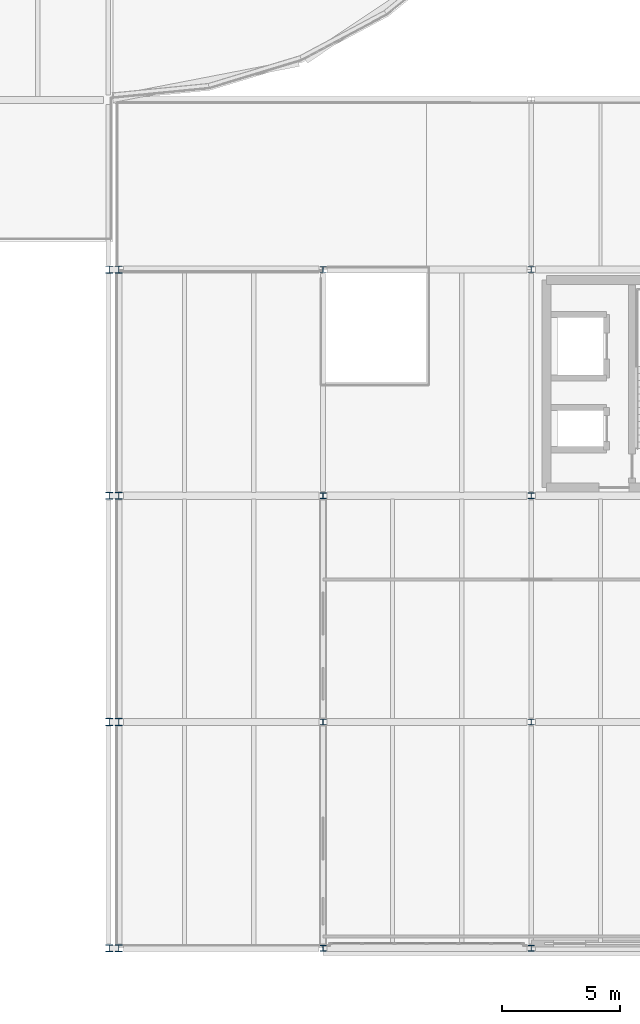
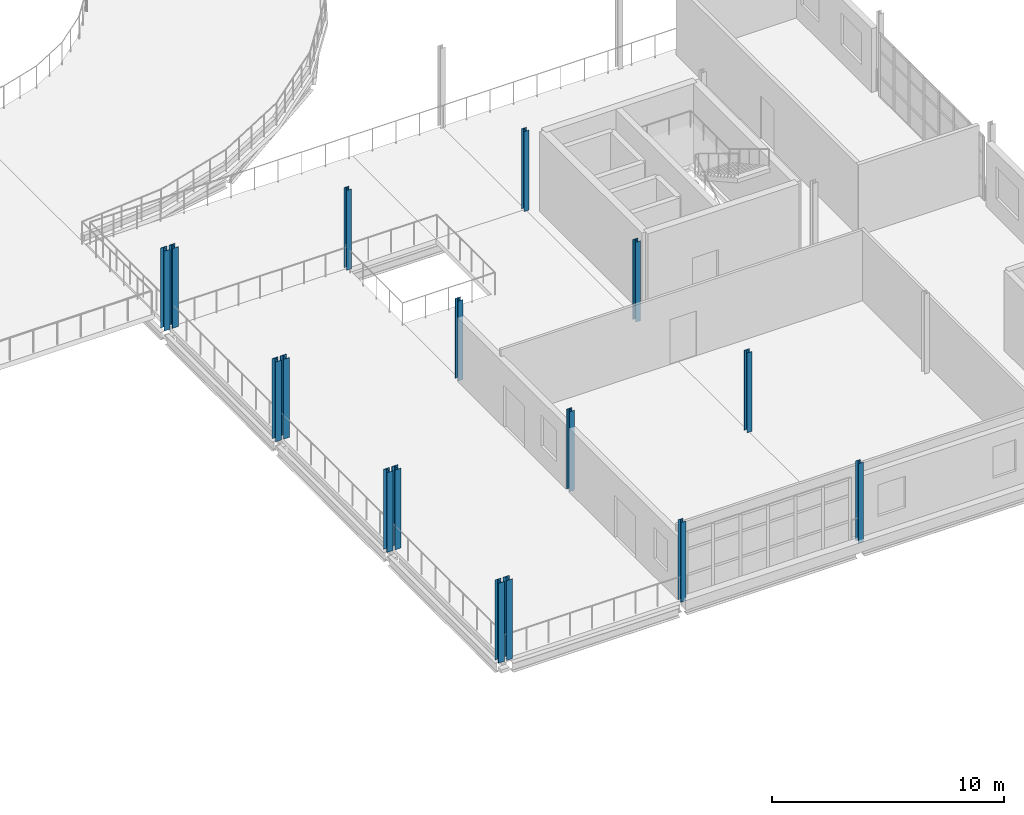
# One storey, part 10 of 58: 16 columns.
"""IFC4 building model written with IfcOpenShell, lengths in metres."""

from ifc_helpers import new_model, si_unit, direction, frame, origin, origin_2d, place, context, subcontext, project, spatial, i_section, extrude, material, material_profile, profile_set, type_object, element, save


model = new_model("IFC4")

# Units and contexts
model_context = context("Model", 3, precision=1e-05, world=origin(), true_north=direction((0.0, 1.0)))
body_context = subcontext(model_context, "Body", "Model", "MODEL_VIEW")
ifc_project = project(units=[si_unit("LENGTHUNIT", "METRE"), si_unit("AREAUNIT", "SQUARE_METRE"), si_unit("VOLUMEUNIT", "CUBIC_METRE"), si_unit("PLANEANGLEUNIT", "RADIAN"), si_unit("MASSUNIT", "GRAM", prefix="KILO")], contexts=[model_context])

# Site, building, storey
site_placement = place(None, origin())
site = spatial("IfcSite", under=ifc_project, at=site_placement, CompositionType="ELEMENT")
building_placement = place(site_placement, origin())
building = spatial("IfcBuilding", under=site, at=building_placement, Name="Yeouljin Market Hall", CompositionType="ELEMENT")
storey_placement = place(building_placement, frame((0.0, 0.0, 10.800048828125)))
storey = spatial("IfcBuildingStorey", under=building, at=storey_placement, Name="L02", CompositionType="ELEMENT", Elevation=10.800048828125)

# Columns
ifc_material_1 = material(Name="Steel SM355", Category="steel")
ifc_material_profile_1 = material_profile(ifc_material_1, i_section(OverallWidth=0.25, OverallDepth=0.25, WebThickness=0.009033203125, FlangeThickness=0.013916015625, FilletRadius=0.01611328125, at=origin_2d()), Name="H-250x250x9x14")
ifc_profile_set_1 = profile_set([ifc_material_profile_1], Name="Steel SM355")
column_type_1 = type_object("IfcColumnType", Name="Col_H-250x250x9x14", PredefinedType="COLUMN", material=ifc_profile_set_1)
for number, where, z_axis, x_axis, name in (
    (1, (149.909912109375, 0.0, 0.0), (0.0, 0.0, 1.0), (1.0, 0.0, 0.0), "Column G-18-00 (L02)"),
    (2, (149.909912109375, 9.60009765625, 0.0), (0.0, 0.0, 1.0), (1.0, 0.0, 0.0), "Column G-18-01 (L02)"),
    (3, (149.909912109375, 19.199951171875, 0.0), (0.0, 0.0, 1.0), (1.0, 0.0, 0.0), "Column G-18-02 (L02)"),
    (4, (149.909912109375, 28.800048828125, 0.0), (0.0, 0.0, 1.0), (1.0, 0.0, 0.0), "Column G-18-03 (L02)"),
    (5, (158.739990234375, 0.0, 0.0), (0.0, 0.0, 1.0), (1.0, 0.0, 0.0), "Column G-19-00 (L02)"),
    (6, (158.739990234375, 9.60009765625, 0.0), (0.0, 0.0, 1.0), (1.0, 0.0, 0.0), "Column G-19-01 (L02)"),
    (7, (158.739990234375, 19.199951171875, 0.0), (0.0, 0.0, 1.0), (1.0, 0.0, 0.0), "Column G-19-02 (L02)"),
    (8, (158.739990234375, 28.800048828125, 0.0), (0.0, 0.0, 1.0), (1.0, 0.0, 0.0), "Column G-19-03 (L02)"),
):
    element("IfcColumn", number, at=place(storey_placement, frame(where, z_axis=z_axis, x_axis=x_axis)), inside=storey, type_object=column_type_1, Name=name, PredefinedType="COLUMN", context=body_context, shape_type="SweptSolid", body=[
        extrude(i_section(OverallWidth=0.25, OverallDepth=0.25, WebThickness=0.009033203125, FlangeThickness=0.013916015625, FilletRadius=0.01611328125, at=origin_2d()), origin(), (0.0, 0.0, 1.0), 4.199951171875),
    ])
ifc_material_2 = material(Name="Steel SM355", Category="steel")
ifc_material_profile_2 = material_profile(ifc_material_2, i_section(OverallWidth=0.300048828125, OverallDepth=0.300048828125, WebThickness=0.010009765625, FlangeThickness=0.014892578125, FilletRadius=0.01806640625, at=origin_2d()), Name="H-300x300x10x15")
ifc_profile_set_2 = profile_set([ifc_material_profile_2], Name="Steel SM355")
column_type_2 = type_object("IfcColumnType", Name="Col_H-300x300x10x15", PredefinedType="COLUMN", material=ifc_profile_set_2)
for number, where, z_axis, x_axis, name in (
    (9, (140.8349609375, 0.0, 0.0), (0.0, 0.0, 1.0), (1.0, 0.0, 0.0), "Column G-16-00 (L02)"),
    (10, (140.8349609375, 9.60009765625, 0.0), (0.0, 0.0, 1.0), (1.0, 0.0, 0.0), "Column G-16-01 (L02)"),
    (11, (140.8349609375, 19.199951171875, 0.0), (0.0, 0.0, 1.0), (1.0, 0.0, 0.0), "Column G-16-02 (L02)"),
    (12, (140.8349609375, 28.800048828125, 0.0), (0.0, 0.0, 1.0), (1.0, 0.0, 0.0), "Column G-16-03 (L02)"),
    (13, (141.2451171875, 0.0, 0.0), (0.0, 0.0, 1.0), (1.0, 0.0, 0.0), "Column G-17-00 (L02)"),
    (14, (141.2451171875, 9.60009765625, 0.0), (0.0, 0.0, 1.0), (1.0, 0.0, 0.0), "Column G-17-01 (L02)"),
    (15, (141.2451171875, 19.199951171875, 0.0), (0.0, 0.0, 1.0), (1.0, 0.0, 0.0), "Column G-17-02 (L02)"),
    (16, (141.2451171875, 28.800048828125, 0.0), (0.0, 0.0, 1.0), (1.0, 0.0, 0.0), "Column G-17-03 (L02)"),
):
    element("IfcColumn", number, at=place(storey_placement, frame(where, z_axis=z_axis, x_axis=x_axis)), inside=storey, type_object=column_type_2, Name=name, PredefinedType="COLUMN", context=body_context, shape_type="SweptSolid", body=[
        extrude(i_section(OverallWidth=0.300048828125, OverallDepth=0.300048828125, WebThickness=0.010009765625, FlangeThickness=0.014892578125, FilletRadius=0.01806640625, at=origin_2d()), origin(), (0.0, 0.0, 1.0), 4.199951171875),
    ])

save(model, "model.ifc")
